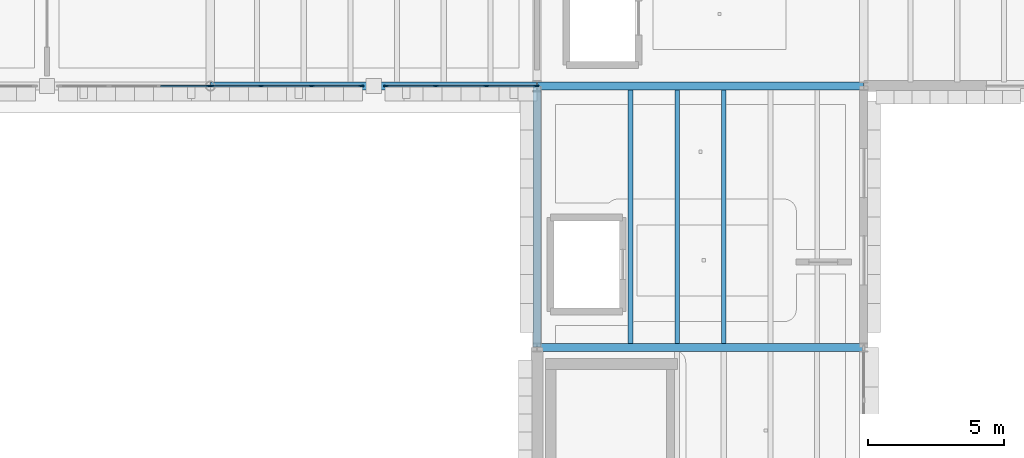
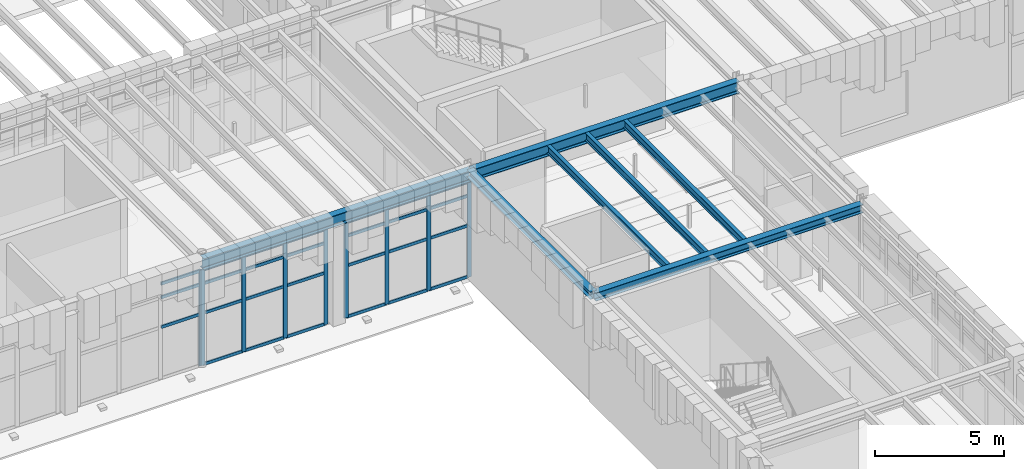
# One storey, part 33 of 100: 36 members, 7 beams, 3 elements without a shape of their own.
"""IFC4 building model written with IfcOpenShell, lengths in metres."""

from ifc_helpers import new_model, si_unit, direction, frame, origin, origin_2d, place, context, subcontext, project, spatial, rectangle, i_section, extrude, material, layer, layer_set, material_profile, profile_set, type_object, element, aggregate, save


model = new_model("IFC4")

# Units and contexts
model_context = context("Model", 3, precision=1e-05, world=origin(), true_north=direction((0.0, 1.0)))
body_context = subcontext(model_context, "Body", "Model", "MODEL_VIEW")
ifc_project = project(units=[si_unit("LENGTHUNIT", "METRE"), si_unit("AREAUNIT", "SQUARE_METRE"), si_unit("VOLUMEUNIT", "CUBIC_METRE"), si_unit("PLANEANGLEUNIT", "RADIAN"), si_unit("MASSUNIT", "GRAM", prefix="KILO")], contexts=[model_context])

# Site, building, storey
site_placement = place(None, origin())
site = spatial("IfcSite", under=ifc_project, at=site_placement, CompositionType="ELEMENT")
building_placement = place(site_placement, origin())
building = spatial("IfcBuilding", under=site, at=building_placement, Name="Zlatogorsky Bluff Art Gallery", CompositionType="ELEMENT")
storey_placement = place(building_placement, frame((0.0, 0.0, 5.39990234375)))
storey = spatial("IfcBuildingStorey", under=building, at=storey_placement, Name="L01", CompositionType="ELEMENT", Elevation=5.39990234375)

# Beams
ifc_material_1 = material(Name="Steel S355", Category="steel")
ifc_material_profile_1 = material_profile(ifc_material_1, i_section(OverallWidth=0.300048828125, OverallDepth=0.5400390625, WebThickness=0.012451171875, FlangeThickness=0.02392578125, FilletRadius=0.027099609375, at=origin_2d()), Name="HEA 550")
ifc_profile_set_1 = profile_set([ifc_material_profile_1], Name="Steel S355")
beam_type_1 = type_object("IfcBeamType", Name="Beam BM-06 HEA 550", PredefinedType="BEAM", material=ifc_profile_set_1)
for number, where, z_axis, x_axis, name in (
    (1, (108.014892578125, 84.0, 4.840087890625), (1.0, 0.0, 0.0), (0.0, 1.0, 0.0), "Primary girder BM-06 L01 K-L/9"),
    (2, (120.014892578125, 84.0, 4.840087890625), (1.0, 0.0, 0.0), (0.0, 1.0, 0.0), "Primary girder BM-06 L01 L-M/9"),
):
    element("IfcBeam", number, at=place(storey_placement, frame(where, z_axis=z_axis, x_axis=x_axis)), inside=storey, type_object=beam_type_1, Name=name, PredefinedType="BEAM", context=body_context, shape_type="SweptSolid", body=[
        extrude(i_section(OverallWidth=0.300048828125, OverallDepth=0.5400390625, WebThickness=0.012451171875, FlangeThickness=0.02392578125, FilletRadius=0.027099609375, at=origin_2d()), origin(), (0.0, 0.0, 1.0), 11.97021484375),
    ])
ifc_material_profile_2 = material_profile(ifc_material_1, i_section(OverallWidth=0.300048828125, OverallDepth=0.389892578125, WebThickness=0.010986328125, FlangeThickness=0.01904296875, FilletRadius=0.027099609375, at=origin_2d()), Name="HEA 400")
ifc_profile_set_2 = profile_set([ifc_material_profile_2], Name="Steel S355")
beam_type_2 = type_object("IfcBeamType", Name="Beam BM-09 HEA 400", PredefinedType="BEAM", material=ifc_profile_set_2)
beam_1_placement = place(storey_placement, frame((120.014892578125, 74.39990234375, 4.9150390625), z_axis=(1.0, 0.0, 0.0), x_axis=(0.0, 1.0, 0.0)))
element("IfcBeam", 3, at=beam_1_placement, inside=storey, type_object=beam_type_2, Name="Primary girder BM-09 L01 L-M/8", PredefinedType="BEAM", context=body_context, shape_type="SweptSolid", body=[
    extrude(i_section(OverallWidth=0.300048828125, OverallDepth=0.389892578125, WebThickness=0.010986328125, FlangeThickness=0.01904296875, FilletRadius=0.027099609375, at=origin_2d()), origin(), (0.0, 0.0, 1.0), 11.97021484375),
])
ifc_material_profile_3 = material_profile(ifc_material_1, i_section(OverallWidth=0.300048828125, OverallDepth=0.35009765625, WebThickness=0.010009765625, FlangeThickness=0.017578125, FilletRadius=0.027099609375, at=origin_2d()), Name="HEA 360")
ifc_profile_set_3 = profile_set([ifc_material_profile_3], Name="Steel S355")
beam_type_3 = type_object("IfcBeamType", Name="Beam BM-10 HEA 360", PredefinedType="BEAM", material=ifc_profile_set_3)
beam_2_placement = place(storey_placement, frame((120.0, 74.4150390625, 4.93505859375), z_axis=(0.0, 1.0, 0.0), x_axis=(-1.0, 0.0, 0.0)))
element("IfcBeam", 4, at=beam_2_placement, inside=storey, type_object=beam_type_3, Name="Primary girder BM-10 L01 L/8-9", PredefinedType="BEAM", context=body_context, shape_type="SweptSolid", body=[
    extrude(i_section(OverallWidth=0.300048828125, OverallDepth=0.35009765625, WebThickness=0.010009765625, FlangeThickness=0.017578125, FilletRadius=0.027099609375, at=origin_2d()), origin(), (0.0, 0.0, 1.0), 9.570068359375),
])
ifc_material_profile_4 = material_profile(ifc_material_1, i_section(OverallWidth=0.169921875, OverallDepth=0.360107421875, WebThickness=0.008056640625, FlangeThickness=0.0126953125, FilletRadius=0.01806640625, at=origin_2d()), Name="IPE 360")
ifc_profile_set_4 = profile_set([ifc_material_profile_4], Name="Steel S355")
beam_type_4 = type_object("IfcBeamType", Name="Beam JS-04 IPE 360", PredefinedType="JOIST", material=ifc_profile_set_4)
for number, where, z_axis, x_axis, name in (
    (5, (123.428466796875, 74.550048828125, 4.93017578125), (0.0, 1.0, 0.0), (-1.0, 0.0, 0.0), "Composite floor joist JS-04 L01 10.07.2"),
    (6, (125.142822265625, 74.550048828125, 4.93017578125), (0.0, 1.0, 0.0), (-1.0, 0.0, 0.0), "Composite floor joist JS-04 L01 10.07.3"),
    (7, (126.857177734375, 74.550048828125, 4.93017578125), (0.0, 1.0, 0.0), (-1.0, 0.0, 0.0), "Composite floor joist JS-04 L01 10.07.4"),
):
    element("IfcBeam", number, at=place(storey_placement, frame(where, z_axis=z_axis, x_axis=x_axis)), inside=storey, type_object=beam_type_4, Name=name, PredefinedType="JOIST", context=body_context, shape_type="SweptSolid", body=[
        extrude(i_section(OverallWidth=0.169921875, OverallDepth=0.360107421875, WebThickness=0.008056640625, FlangeThickness=0.0126953125, FilletRadius=0.01806640625, at=origin_2d()), origin(), (0.0, 0.0, 1.0), 9.300048828125),
    ])

# Curtain wall, member
ifc_material_2 = material(Name="Anodised Bronze Aluminium and Low-Iron Triple Glazing", Category="aluminium")
ifc_layer = layer(ifc_material_2, 0.219970703125)
ifc_layer_set = layer_set([ifc_layer], Name="Curtain Wall CW-04")
curtain_wall_type = type_object("IfcCurtainWallType", Name="Curtain Wall CW-04", PredefinedType="USERDEFINED", material=ifc_layer_set)
curtain_wall_1_placement = place(storey_placement, origin())
curtain_wall_1 = element("IfcCurtainWall", 8, at=curtain_wall_1_placement, inside=storey, type_object=curtain_wall_type, Name="Unitised curtain wall CW-04 L01 S 8.8-B", ObjectType="CURTAIN WALL", PredefinedType="USERDEFINED")
ifc_material_3 = material(Name="Anodised Bronze Aluminium", Category="aluminium")
ifc_material_profile_5 = material_profile(ifc_material_3, rectangle(XDim=0.06494140625, YDim=0.179931640625, at=origin_2d()), Name="ALU MULLION 65x180")
ifc_profile_set_5 = profile_set([ifc_material_profile_5], Name="Anodised Bronze Aluminium")
member_type_1 = type_object("IfcMemberType", Name="Curtain Mullion ML-01", PredefinedType="MULLION", material=ifc_profile_set_5)
member_1_placement = place(storey_placement, frame((107.967529296875, 84.0, 0.0), z_axis=(0.0, 0.0, 1.0), x_axis=(0.0, 1.0, 0.0)))
member_1 = element("IfcMember", 9, at=member_1_placement, type_object=member_type_1, Name="CW-04 mullion 4", PredefinedType="MULLION", context=body_context, shape_type="SweptSolid", body=[
    extrude(rectangle(XDim=0.06494140625, YDim=0.179931640625, at=origin_2d()), origin(), (0.0, 0.0, 1.0), 4.530029296875),
])

# Curtain wall, members
curtain_wall_2_placement = place(storey_placement, origin())
curtain_wall_2 = element("IfcCurtainWall", 10, at=curtain_wall_2_placement, inside=storey, type_object=curtain_wall_type, Name="Unitised curtain wall CW-04 L01 S 9.8-A", ObjectType="CURTAIN WALL", PredefinedType="USERDEFINED")
member_2_placement = place(storey_placement, frame((108.032470703125, 84.0, 0.0), z_axis=(0.0, 0.0, 1.0), x_axis=(0.0, 1.0, 0.0)))
member_2 = element("IfcMember", 11, at=member_2_placement, type_object=member_type_1, Name="CW-04 mullion 1", PredefinedType="MULLION", context=body_context, shape_type="SweptSolid", body=[
    extrude(rectangle(XDim=0.06494140625, YDim=0.179931640625, at=origin_2d()), origin(), (0.0, 0.0, 1.0), 4.530029296875),
])
member_3_placement = place(storey_placement, frame((109.860107421875, 84.0, 0.0), z_axis=(0.0, 0.0, 1.0), x_axis=(0.0, 1.0, 0.0)))
member_3 = element("IfcMember", 12, at=member_3_placement, type_object=member_type_1, Name="CW-04 mullion 2", PredefinedType="MULLION", context=body_context, shape_type="SweptSolid", body=[
    extrude(rectangle(XDim=0.06494140625, YDim=0.179931640625, at=origin_2d()), origin(), (0.0, 0.0, 1.0), 4.530029296875),
])
member_4_placement = place(storey_placement, frame((111.719970703125, 84.0, 0.0), z_axis=(0.0, 0.0, 1.0), x_axis=(0.0, 1.0, 0.0)))
member_4 = element("IfcMember", 13, at=member_4_placement, type_object=member_type_1, Name="CW-04 mullion 3", PredefinedType="MULLION", context=body_context, shape_type="SweptSolid", body=[
    extrude(rectangle(XDim=0.06494140625, YDim=0.179931640625, at=origin_2d()), origin(), (0.0, 0.0, 1.0), 4.530029296875),
])
member_5_placement = place(storey_placement, frame((113.547607421875, 84.0, 0.0), z_axis=(0.0, 0.0, 1.0), x_axis=(0.0, 1.0, 0.0)))
member_5 = element("IfcMember", 14, at=member_5_placement, type_object=member_type_1, Name="CW-04 mullion 4", PredefinedType="MULLION", context=body_context, shape_type="SweptSolid", body=[
    extrude(rectangle(XDim=0.06494140625, YDim=0.179931640625, at=origin_2d()), origin(), (0.0, 0.0, 1.0), 4.530029296875),
])

curtain_wall_3_placement = place(storey_placement, origin())
curtain_wall_3 = element("IfcCurtainWall", 15, at=curtain_wall_3_placement, inside=storey, type_object=curtain_wall_type, Name="Unitised curtain wall CW-04 L01 S 9.8-B", ObjectType="CURTAIN WALL", PredefinedType="USERDEFINED")
member_6_placement = place(storey_placement, frame((114.452392578125, 84.0, 0.0), z_axis=(0.0, 0.0, 1.0), x_axis=(0.0, 1.0, 0.0)))
member_6 = element("IfcMember", 16, at=member_6_placement, type_object=member_type_1, Name="CW-04 mullion 1", PredefinedType="MULLION", context=body_context, shape_type="SweptSolid", body=[
    extrude(rectangle(XDim=0.06494140625, YDim=0.179931640625, at=origin_2d()), origin(), (0.0, 0.0, 1.0), 4.530029296875),
])
member_7_placement = place(storey_placement, frame((116.280029296875, 84.0, 0.0), z_axis=(0.0, 0.0, 1.0), x_axis=(0.0, 1.0, 0.0)))
member_7 = element("IfcMember", 17, at=member_7_placement, type_object=member_type_1, Name="CW-04 mullion 2", PredefinedType="MULLION", context=body_context, shape_type="SweptSolid", body=[
    extrude(rectangle(XDim=0.06494140625, YDim=0.179931640625, at=origin_2d()), origin(), (0.0, 0.0, 1.0), 4.530029296875),
])
member_8_placement = place(storey_placement, frame((118.139892578125, 84.0, 0.0), z_axis=(0.0, 0.0, 1.0), x_axis=(0.0, 1.0, 0.0)))
member_8 = element("IfcMember", 18, at=member_8_placement, type_object=member_type_1, Name="CW-04 mullion 3", PredefinedType="MULLION", context=body_context, shape_type="SweptSolid", body=[
    extrude(rectangle(XDim=0.06494140625, YDim=0.179931640625, at=origin_2d()), origin(), (0.0, 0.0, 1.0), 4.530029296875),
])
member_9_placement = place(storey_placement, frame((119.967529296875, 84.0, 0.0), z_axis=(0.0, 0.0, 1.0), x_axis=(0.0, 1.0, 0.0)))
member_9 = element("IfcMember", 19, at=member_9_placement, type_object=member_type_1, Name="CW-04 mullion 4", PredefinedType="MULLION", context=body_context, shape_type="SweptSolid", body=[
    extrude(rectangle(XDim=0.06494140625, YDim=0.179931640625, at=origin_2d()), origin(), (0.0, 0.0, 1.0), 4.530029296875),
])

# Member
ifc_material_profile_6 = material_profile(ifc_material_3, rectangle(XDim=0.06494140625, YDim=0.139892578125, at=origin_2d()), Name="ALU TRANSOM 65x140")
ifc_profile_set_6 = profile_set([ifc_material_profile_6], Name="Anodised Bronze Aluminium")
member_type_2 = type_object("IfcMemberType", Name="Curtain Transom TR-01", PredefinedType="USERDEFINED", material=ifc_profile_set_6)
member_10_placement = place(storey_placement, frame((106.172607421875, 84.0, 2.4501953125), z_axis=(1.0, 0.0, 0.0), x_axis=(0.0, 1.0, 0.0)))
member_10 = element("IfcMember", 20, at=member_10_placement, type_object=member_type_2, Name="CW-04 transom 3.2", ObjectType="TRANSOM", PredefinedType="USERDEFINED", context=body_context, shape_type="SweptSolid", body=[
    extrude(rectangle(XDim=0.06494140625, YDim=0.139892578125, at=origin_2d()), origin(), (0.0, 0.0, 1.0), 1.762451171875),
])

member_11_placement = place(storey_placement, frame((106.172607421875, 84.0, 3.85009765625), z_axis=(1.0, 0.0, 0.0), x_axis=(0.0, 1.0, 0.0)))
member_11 = element("IfcMember", 21, at=member_11_placement, type_object=member_type_2, Name="CW-04 transom 3.3", ObjectType="TRANSOM", PredefinedType="USERDEFINED", context=body_context, shape_type="SweptSolid", body=[
    extrude(rectangle(XDim=0.06494140625, YDim=0.139892578125, at=origin_2d()), origin(), (0.0, 0.0, 1.0), 1.762451171875),
])

member_12_placement = place(storey_placement, frame((106.172607421875, 84.0, 4.49755859375), z_axis=(1.0, 0.0, 0.0), x_axis=(0.0, 1.0, 0.0)))
member_12 = element("IfcMember", 22, at=member_12_placement, type_object=member_type_2, Name="CW-04 transom 3.4", ObjectType="TRANSOM", PredefinedType="USERDEFINED", context=body_context, shape_type="SweptSolid", body=[
    extrude(rectangle(XDim=0.06494140625, YDim=0.139892578125, at=origin_2d()), origin(), (0.0, 0.0, 1.0), 1.762451171875),
])

aggregate(curtain_wall_1, [member_1, member_10, member_11, member_12])

member_13_placement = place(storey_placement, frame((108.06494140625, 84.0, 0.03271484375), z_axis=(1.0, 0.0, 0.0), x_axis=(0.0, 1.0, 0.0)))
member_13 = element("IfcMember", 23, at=member_13_placement, type_object=member_type_2, Name="CW-04 transom 1.1", ObjectType="TRANSOM", PredefinedType="USERDEFINED", context=body_context, shape_type="SweptSolid", body=[
    extrude(rectangle(XDim=0.06494140625, YDim=0.139892578125, at=origin_2d()), origin(), (0.0, 0.0, 1.0), 1.762451171875),
])

member_14_placement = place(storey_placement, frame((108.06494140625, 84.0, 2.4501953125), z_axis=(1.0, 0.0, 0.0), x_axis=(0.0, 1.0, 0.0)))
member_14 = element("IfcMember", 24, at=member_14_placement, type_object=member_type_2, Name="CW-04 transom 1.2", ObjectType="TRANSOM", PredefinedType="USERDEFINED", context=body_context, shape_type="SweptSolid", body=[
    extrude(rectangle(XDim=0.06494140625, YDim=0.139892578125, at=origin_2d()), origin(), (0.0, 0.0, 1.0), 1.762451171875),
])

member_15_placement = place(storey_placement, frame((108.06494140625, 84.0, 3.85009765625), z_axis=(1.0, 0.0, 0.0), x_axis=(0.0, 1.0, 0.0)))
member_15 = element("IfcMember", 25, at=member_15_placement, type_object=member_type_2, Name="CW-04 transom 1.3", ObjectType="TRANSOM", PredefinedType="USERDEFINED", context=body_context, shape_type="SweptSolid", body=[
    extrude(rectangle(XDim=0.06494140625, YDim=0.139892578125, at=origin_2d()), origin(), (0.0, 0.0, 1.0), 1.762451171875),
])

member_16_placement = place(storey_placement, frame((108.06494140625, 84.0, 4.49755859375), z_axis=(1.0, 0.0, 0.0), x_axis=(0.0, 1.0, 0.0)))
member_16 = element("IfcMember", 26, at=member_16_placement, type_object=member_type_2, Name="CW-04 transom 1.4", ObjectType="TRANSOM", PredefinedType="USERDEFINED", context=body_context, shape_type="SweptSolid", body=[
    extrude(rectangle(XDim=0.06494140625, YDim=0.139892578125, at=origin_2d()), origin(), (0.0, 0.0, 1.0), 1.762451171875),
])

member_17_placement = place(storey_placement, frame((109.892578125, 84.0, 0.03271484375), z_axis=(1.0, 0.0, 0.0), x_axis=(0.0, 1.0, 0.0)))
member_17 = element("IfcMember", 27, at=member_17_placement, type_object=member_type_2, Name="CW-04 transom 2.1", ObjectType="TRANSOM", PredefinedType="USERDEFINED", context=body_context, shape_type="SweptSolid", body=[
    extrude(rectangle(XDim=0.06494140625, YDim=0.139892578125, at=origin_2d()), origin(), (0.0, 0.0, 1.0), 1.794921875),
])

member_18_placement = place(storey_placement, frame((109.892578125, 84.0, 2.4501953125), z_axis=(1.0, 0.0, 0.0), x_axis=(0.0, 1.0, 0.0)))
member_18 = element("IfcMember", 28, at=member_18_placement, type_object=member_type_2, Name="CW-04 transom 2.2", ObjectType="TRANSOM", PredefinedType="USERDEFINED", context=body_context, shape_type="SweptSolid", body=[
    extrude(rectangle(XDim=0.06494140625, YDim=0.139892578125, at=origin_2d()), origin(), (0.0, 0.0, 1.0), 1.794921875),
])

member_19_placement = place(storey_placement, frame((109.892578125, 84.0, 3.85009765625), z_axis=(1.0, 0.0, 0.0), x_axis=(0.0, 1.0, 0.0)))
member_19 = element("IfcMember", 29, at=member_19_placement, type_object=member_type_2, Name="CW-04 transom 2.3", ObjectType="TRANSOM", PredefinedType="USERDEFINED", context=body_context, shape_type="SweptSolid", body=[
    extrude(rectangle(XDim=0.06494140625, YDim=0.139892578125, at=origin_2d()), origin(), (0.0, 0.0, 1.0), 1.794921875),
])

member_20_placement = place(storey_placement, frame((109.892578125, 84.0, 4.49755859375), z_axis=(1.0, 0.0, 0.0), x_axis=(0.0, 1.0, 0.0)))
member_20 = element("IfcMember", 30, at=member_20_placement, type_object=member_type_2, Name="CW-04 transom 2.4", ObjectType="TRANSOM", PredefinedType="USERDEFINED", context=body_context, shape_type="SweptSolid", body=[
    extrude(rectangle(XDim=0.06494140625, YDim=0.139892578125, at=origin_2d()), origin(), (0.0, 0.0, 1.0), 1.794921875),
])

member_21_placement = place(storey_placement, frame((111.75244140625, 84.0, 0.03271484375), z_axis=(1.0, 0.0, 0.0), x_axis=(0.0, 1.0, 0.0)))
member_21 = element("IfcMember", 31, at=member_21_placement, type_object=member_type_2, Name="CW-04 transom 3.1", ObjectType="TRANSOM", PredefinedType="USERDEFINED", context=body_context, shape_type="SweptSolid", body=[
    extrude(rectangle(XDim=0.06494140625, YDim=0.139892578125, at=origin_2d()), origin(), (0.0, 0.0, 1.0), 1.762451171875),
])

member_22_placement = place(storey_placement, frame((111.75244140625, 84.0, 2.4501953125), z_axis=(1.0, 0.0, 0.0), x_axis=(0.0, 1.0, 0.0)))
member_22 = element("IfcMember", 32, at=member_22_placement, type_object=member_type_2, Name="CW-04 transom 3.2", ObjectType="TRANSOM", PredefinedType="USERDEFINED", context=body_context, shape_type="SweptSolid", body=[
    extrude(rectangle(XDim=0.06494140625, YDim=0.139892578125, at=origin_2d()), origin(), (0.0, 0.0, 1.0), 1.762451171875),
])

member_23_placement = place(storey_placement, frame((111.75244140625, 84.0, 3.85009765625), z_axis=(1.0, 0.0, 0.0), x_axis=(0.0, 1.0, 0.0)))
member_23 = element("IfcMember", 33, at=member_23_placement, type_object=member_type_2, Name="CW-04 transom 3.3", ObjectType="TRANSOM", PredefinedType="USERDEFINED", context=body_context, shape_type="SweptSolid", body=[
    extrude(rectangle(XDim=0.06494140625, YDim=0.139892578125, at=origin_2d()), origin(), (0.0, 0.0, 1.0), 1.762451171875),
])

member_24_placement = place(storey_placement, frame((111.75244140625, 84.0, 4.49755859375), z_axis=(1.0, 0.0, 0.0), x_axis=(0.0, 1.0, 0.0)))
member_24 = element("IfcMember", 34, at=member_24_placement, type_object=member_type_2, Name="CW-04 transom 3.4", ObjectType="TRANSOM", PredefinedType="USERDEFINED", context=body_context, shape_type="SweptSolid", body=[
    extrude(rectangle(XDim=0.06494140625, YDim=0.139892578125, at=origin_2d()), origin(), (0.0, 0.0, 1.0), 1.762451171875),
])

aggregate(curtain_wall_2, [member_2, member_3, member_4, member_5, member_13, member_14, member_15, member_16, member_17, member_18, member_19, member_20, member_21, member_22, member_23, member_24])

member_25_placement = place(storey_placement, frame((114.485107421875, 84.0, 0.03271484375), z_axis=(1.0, 0.0, 0.0), x_axis=(0.0, 1.0, 0.0)))
member_25 = element("IfcMember", 35, at=member_25_placement, type_object=member_type_2, Name="CW-04 transom 1.1", ObjectType="TRANSOM", PredefinedType="USERDEFINED", context=body_context, shape_type="SweptSolid", body=[
    extrude(rectangle(XDim=0.06494140625, YDim=0.139892578125, at=origin_2d()), origin(), (0.0, 0.0, 1.0), 1.762451171875),
])

member_26_placement = place(storey_placement, frame((114.485107421875, 84.0, 2.4501953125), z_axis=(1.0, 0.0, 0.0), x_axis=(0.0, 1.0, 0.0)))
member_26 = element("IfcMember", 36, at=member_26_placement, type_object=member_type_2, Name="CW-04 transom 1.2", ObjectType="TRANSOM", PredefinedType="USERDEFINED", context=body_context, shape_type="SweptSolid", body=[
    extrude(rectangle(XDim=0.06494140625, YDim=0.139892578125, at=origin_2d()), origin(), (0.0, 0.0, 1.0), 1.762451171875),
])

member_27_placement = place(storey_placement, frame((114.485107421875, 84.0, 3.85009765625), z_axis=(1.0, 0.0, 0.0), x_axis=(0.0, 1.0, 0.0)))
member_27 = element("IfcMember", 37, at=member_27_placement, type_object=member_type_2, Name="CW-04 transom 1.3", ObjectType="TRANSOM", PredefinedType="USERDEFINED", context=body_context, shape_type="SweptSolid", body=[
    extrude(rectangle(XDim=0.06494140625, YDim=0.139892578125, at=origin_2d()), origin(), (0.0, 0.0, 1.0), 1.762451171875),
])

member_28_placement = place(storey_placement, frame((114.485107421875, 84.0, 4.49755859375), z_axis=(1.0, 0.0, 0.0), x_axis=(0.0, 1.0, 0.0)))
member_28 = element("IfcMember", 38, at=member_28_placement, type_object=member_type_2, Name="CW-04 transom 1.4", ObjectType="TRANSOM", PredefinedType="USERDEFINED", context=body_context, shape_type="SweptSolid", body=[
    extrude(rectangle(XDim=0.06494140625, YDim=0.139892578125, at=origin_2d()), origin(), (0.0, 0.0, 1.0), 1.762451171875),
])

member_29_placement = place(storey_placement, frame((116.3125, 84.0, 0.03271484375), z_axis=(1.0, 0.0, 0.0), x_axis=(0.0, 1.0, 0.0)))
member_29 = element("IfcMember", 39, at=member_29_placement, type_object=member_type_2, Name="CW-04 transom 2.1", ObjectType="TRANSOM", PredefinedType="USERDEFINED", context=body_context, shape_type="SweptSolid", body=[
    extrude(rectangle(XDim=0.06494140625, YDim=0.139892578125, at=origin_2d()), origin(), (0.0, 0.0, 1.0), 1.794921875),
])

member_30_placement = place(storey_placement, frame((116.3125, 84.0, 2.4501953125), z_axis=(1.0, 0.0, 0.0), x_axis=(0.0, 1.0, 0.0)))
member_30 = element("IfcMember", 40, at=member_30_placement, type_object=member_type_2, Name="CW-04 transom 2.2", ObjectType="TRANSOM", PredefinedType="USERDEFINED", context=body_context, shape_type="SweptSolid", body=[
    extrude(rectangle(XDim=0.06494140625, YDim=0.139892578125, at=origin_2d()), origin(), (0.0, 0.0, 1.0), 1.794921875),
])

member_31_placement = place(storey_placement, frame((116.3125, 84.0, 3.85009765625), z_axis=(1.0, 0.0, 0.0), x_axis=(0.0, 1.0, 0.0)))
member_31 = element("IfcMember", 41, at=member_31_placement, type_object=member_type_2, Name="CW-04 transom 2.3", ObjectType="TRANSOM", PredefinedType="USERDEFINED", context=body_context, shape_type="SweptSolid", body=[
    extrude(rectangle(XDim=0.06494140625, YDim=0.139892578125, at=origin_2d()), origin(), (0.0, 0.0, 1.0), 1.794921875),
])

member_32_placement = place(storey_placement, frame((116.3125, 84.0, 4.49755859375), z_axis=(1.0, 0.0, 0.0), x_axis=(0.0, 1.0, 0.0)))
member_32 = element("IfcMember", 42, at=member_32_placement, type_object=member_type_2, Name="CW-04 transom 2.4", ObjectType="TRANSOM", PredefinedType="USERDEFINED", context=body_context, shape_type="SweptSolid", body=[
    extrude(rectangle(XDim=0.06494140625, YDim=0.139892578125, at=origin_2d()), origin(), (0.0, 0.0, 1.0), 1.794921875),
])

member_33_placement = place(storey_placement, frame((118.172607421875, 84.0, 0.03271484375), z_axis=(1.0, 0.0, 0.0), x_axis=(0.0, 1.0, 0.0)))
member_33 = element("IfcMember", 43, at=member_33_placement, type_object=member_type_2, Name="CW-04 transom 3.1", ObjectType="TRANSOM", PredefinedType="USERDEFINED", context=body_context, shape_type="SweptSolid", body=[
    extrude(rectangle(XDim=0.06494140625, YDim=0.139892578125, at=origin_2d()), origin(), (0.0, 0.0, 1.0), 1.762451171875),
])

member_34_placement = place(storey_placement, frame((118.172607421875, 84.0, 2.4501953125), z_axis=(1.0, 0.0, 0.0), x_axis=(0.0, 1.0, 0.0)))
member_34 = element("IfcMember", 44, at=member_34_placement, type_object=member_type_2, Name="CW-04 transom 3.2", ObjectType="TRANSOM", PredefinedType="USERDEFINED", context=body_context, shape_type="SweptSolid", body=[
    extrude(rectangle(XDim=0.06494140625, YDim=0.139892578125, at=origin_2d()), origin(), (0.0, 0.0, 1.0), 1.762451171875),
])

member_35_placement = place(storey_placement, frame((118.172607421875, 84.0, 3.85009765625), z_axis=(1.0, 0.0, 0.0), x_axis=(0.0, 1.0, 0.0)))
member_35 = element("IfcMember", 45, at=member_35_placement, type_object=member_type_2, Name="CW-04 transom 3.3", ObjectType="TRANSOM", PredefinedType="USERDEFINED", context=body_context, shape_type="SweptSolid", body=[
    extrude(rectangle(XDim=0.06494140625, YDim=0.139892578125, at=origin_2d()), origin(), (0.0, 0.0, 1.0), 1.762451171875),
])

member_36_placement = place(storey_placement, frame((118.172607421875, 84.0, 4.49755859375), z_axis=(1.0, 0.0, 0.0), x_axis=(0.0, 1.0, 0.0)))
member_36 = element("IfcMember", 46, at=member_36_placement, type_object=member_type_2, Name="CW-04 transom 3.4", ObjectType="TRANSOM", PredefinedType="USERDEFINED", context=body_context, shape_type="SweptSolid", body=[
    extrude(rectangle(XDim=0.06494140625, YDim=0.139892578125, at=origin_2d()), origin(), (0.0, 0.0, 1.0), 1.762451171875),
])

aggregate(curtain_wall_3, [member_6, member_7, member_8, member_9, member_25, member_26, member_27, member_28, member_29, member_30, member_31, member_32, member_33, member_34, member_35, member_36])

save(model, "model.ifc")
